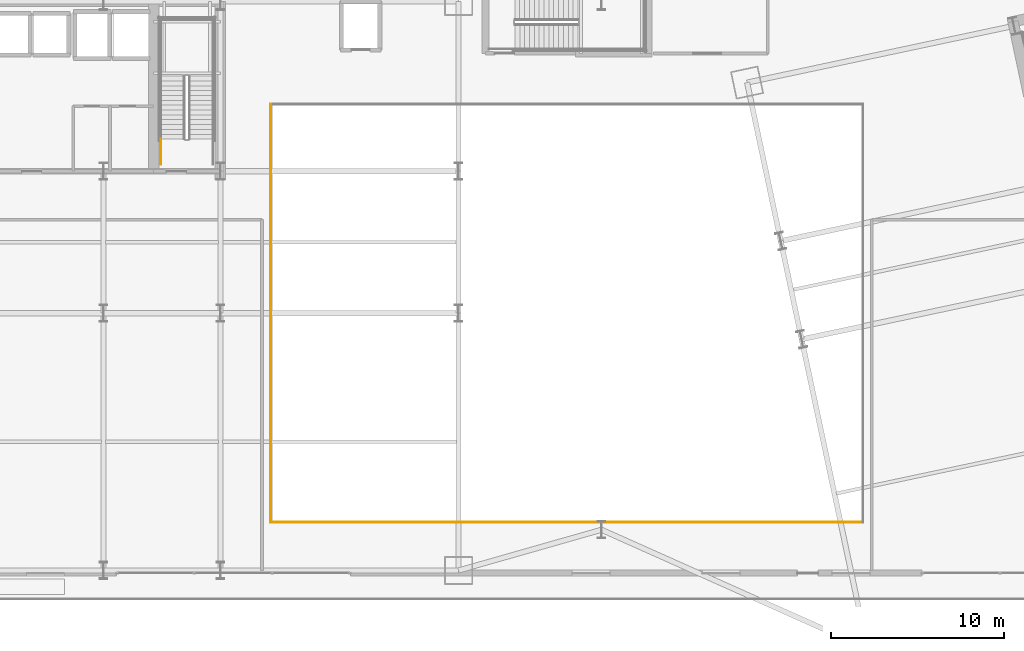
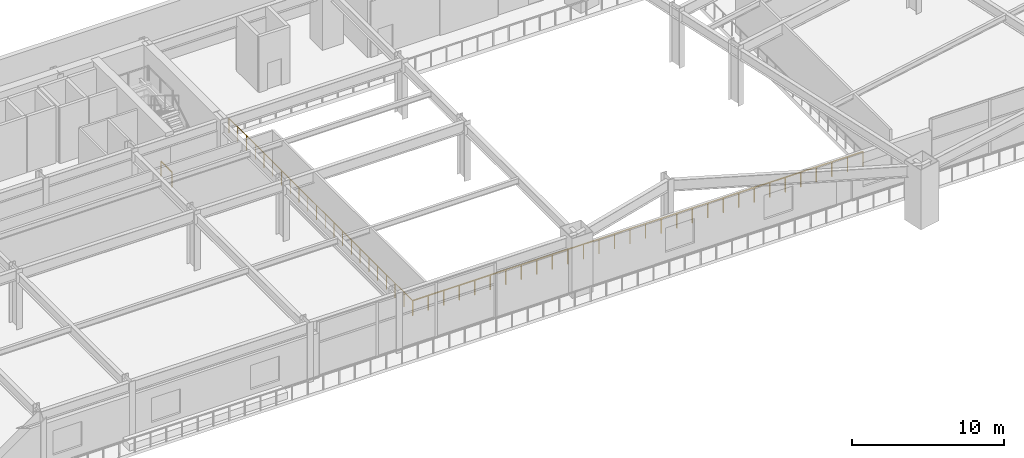
# One storey, part 19 of 28: 3 railings.
"""IFC4 building model written with IfcOpenShell, lengths in metres."""

from ifc_helpers import new_model, si_unit, direction, frame, origin, origin_2d, place, context, subcontext, project, spatial, rectangle, extrude, material, type_object, element, save


model = new_model("IFC4")

# Units and contexts
model_context = context("Model", 3, precision=1e-05, world=origin(), true_north=direction((0.0, 1.0)))
body_context = subcontext(model_context, "Body", "Model", "MODEL_VIEW")
ifc_project = project(units=[si_unit("LENGTHUNIT", "METRE"), si_unit("AREAUNIT", "SQUARE_METRE"), si_unit("VOLUMEUNIT", "CUBIC_METRE"), si_unit("PLANEANGLEUNIT", "RADIAN"), si_unit("MASSUNIT", "GRAM", prefix="KILO")], contexts=[model_context])

# Site, building, storey
site_placement = place(None, origin())
site = spatial("IfcSite", under=ifc_project, at=site_placement, CompositionType="ELEMENT")
building_placement = place(site_placement, origin())
building = spatial("IfcBuilding", under=site, at=building_placement, Name="Haevon Station Towers", CompositionType="ELEMENT")
storey_placement = place(building_placement, frame((0.0, 0.0, 10.800048828125)))
storey = spatial("IfcBuildingStorey", under=building, at=storey_placement, Name="L02", CompositionType="ELEMENT", Elevation=10.800048828125)

# Railings
ifc_material = material(Name="Steel S355", Category="steel")
railing_type_1 = type_object("IfcRailingType", Name="BAL-ATR1200", PredefinedType="BALUSTRADE", material=ifc_material)
railing_1_placement = place(storey_placement, frame((53.90185546875, 17.930908203125, 0.0)))
element("IfcRailing", 1, at=railing_1_placement, inside=storey, type_object=railing_type_1, Name="L02 Atrium Void Balustrade 1", PredefinedType="BALUSTRADE", context=body_context, shape_type="SweptSolid", body=[
    extrude(rectangle(XDim=0.048095703125, YDim=0.048095703125, at=origin_2d()), frame((0.0, 0.0, 1.17578125), z_axis=(1.0, 0.0, 0.0), x_axis=(0.0, 1.0, 0.0)), (0.0, 0.0, 1.0), 34.1962890625),
    extrude(rectangle(XDim=0.0419921875, YDim=0.0419921875, at=origin_2d()), origin(), (0.0, 0.0, 1.0), 1.15185546875),
    extrude(rectangle(XDim=0.0419921875, YDim=0.0419921875, at=origin_2d()), frame((1.17919921875, 0.0, 0.0)), (0.0, 0.0, 1.0), 1.15185546875),
    extrude(rectangle(XDim=0.0419921875, YDim=0.0419921875, at=origin_2d()), frame((2.3583984375, 0.0, 0.0)), (0.0, 0.0, 1.0), 1.15185546875),
    extrude(rectangle(XDim=0.0419921875, YDim=0.0419921875, at=origin_2d()), frame((3.53759765625, 0.0, 0.0)), (0.0, 0.0, 1.0), 1.15185546875),
    extrude(rectangle(XDim=0.0419921875, YDim=0.0419921875, at=origin_2d()), frame((4.716796875, 0.0, 0.0)), (0.0, 0.0, 1.0), 1.15185546875),
    extrude(rectangle(XDim=0.0419921875, YDim=0.0419921875, at=origin_2d()), frame((5.89599609375, 0.0, 0.0)), (0.0, 0.0, 1.0), 1.15185546875),
    extrude(rectangle(XDim=0.0419921875, YDim=0.0419921875, at=origin_2d()), frame((7.0751953125, 0.0, 0.0)), (0.0, 0.0, 1.0), 1.15185546875),
    extrude(rectangle(XDim=0.0419921875, YDim=0.0419921875, at=origin_2d()), frame((8.25439453125, 0.0, 0.0)), (0.0, 0.0, 1.0), 1.15185546875),
    extrude(rectangle(XDim=0.0419921875, YDim=0.0419921875, at=origin_2d()), frame((9.433349609375, 0.0, 0.0)), (0.0, 0.0, 1.0), 1.15185546875),
    extrude(rectangle(XDim=0.0419921875, YDim=0.0419921875, at=origin_2d()), frame((10.612548828125, 0.0, 0.0)), (0.0, 0.0, 1.0), 1.15185546875),
    extrude(rectangle(XDim=0.0419921875, YDim=0.0419921875, at=origin_2d()), frame((11.791748046875, 0.0, 0.0)), (0.0, 0.0, 1.0), 1.15185546875),
    extrude(rectangle(XDim=0.0419921875, YDim=0.0419921875, at=origin_2d()), frame((12.970947265625, 0.0, 0.0)), (0.0, 0.0, 1.0), 1.15185546875),
    extrude(rectangle(XDim=0.0419921875, YDim=0.0419921875, at=origin_2d()), frame((14.150146484375, 0.0, 0.0)), (0.0, 0.0, 1.0), 1.15185546875),
    extrude(rectangle(XDim=0.0419921875, YDim=0.0419921875, at=origin_2d()), frame((15.329345703125, 0.0, 0.0)), (0.0, 0.0, 1.0), 1.15185546875),
    extrude(rectangle(XDim=0.0419921875, YDim=0.0419921875, at=origin_2d()), frame((16.508544921875, 0.0, 0.0)), (0.0, 0.0, 1.0), 1.15185546875),
    extrude(rectangle(XDim=0.0419921875, YDim=0.0419921875, at=origin_2d()), frame((17.687744140625, 0.0, 0.0)), (0.0, 0.0, 1.0), 1.15185546875),
    extrude(rectangle(XDim=0.0419921875, YDim=0.0419921875, at=origin_2d()), frame((18.866943359375, 0.0, 0.0)), (0.0, 0.0, 1.0), 1.15185546875),
    extrude(rectangle(XDim=0.0419921875, YDim=0.0419921875, at=origin_2d()), frame((20.046142578125, 0.0, 0.0)), (0.0, 0.0, 1.0), 1.15185546875),
    extrude(rectangle(XDim=0.0419921875, YDim=0.0419921875, at=origin_2d()), frame((21.225341796875, 0.0, 0.0)), (0.0, 0.0, 1.0), 1.15185546875),
    extrude(rectangle(XDim=0.0419921875, YDim=0.0419921875, at=origin_2d()), frame((22.404541015625, 0.0, 0.0)), (0.0, 0.0, 1.0), 1.15185546875),
    extrude(rectangle(XDim=0.0419921875, YDim=0.0419921875, at=origin_2d()), frame((23.583740234375, 0.0, 0.0)), (0.0, 0.0, 1.0), 1.15185546875),
    extrude(rectangle(XDim=0.0419921875, YDim=0.0419921875, at=origin_2d()), frame((24.762939453125, 0.0, 0.0)), (0.0, 0.0, 1.0), 1.15185546875),
    extrude(rectangle(XDim=0.0419921875, YDim=0.0419921875, at=origin_2d()), frame((25.94189453125, 0.0, 0.0)), (0.0, 0.0, 1.0), 1.15185546875),
    extrude(rectangle(XDim=0.0419921875, YDim=0.0419921875, at=origin_2d()), frame((27.12109375, 0.0, 0.0)), (0.0, 0.0, 1.0), 1.15185546875),
    extrude(rectangle(XDim=0.0419921875, YDim=0.0419921875, at=origin_2d()), frame((28.30029296875, 0.0, 0.0)), (0.0, 0.0, 1.0), 1.15185546875),
    extrude(rectangle(XDim=0.0419921875, YDim=0.0419921875, at=origin_2d()), frame((29.4794921875, 0.0, 0.0)), (0.0, 0.0, 1.0), 1.15185546875),
    extrude(rectangle(XDim=0.0419921875, YDim=0.0419921875, at=origin_2d()), frame((30.65869140625, 0.0, 0.0)), (0.0, 0.0, 1.0), 1.15185546875),
    extrude(rectangle(XDim=0.0419921875, YDim=0.0419921875, at=origin_2d()), frame((31.837890625, 0.0, 0.0)), (0.0, 0.0, 1.0), 1.15185546875),
    extrude(rectangle(XDim=0.0419921875, YDim=0.0419921875, at=origin_2d()), frame((33.01708984375, 0.0, 0.0)), (0.0, 0.0, 1.0), 1.15185546875),
    extrude(rectangle(XDim=0.0419921875, YDim=0.0419921875, at=origin_2d()), frame((34.1962890625, 0.0, 0.0)), (0.0, 0.0, 1.0), 1.15185546875),
])
railing_2_placement = place(storey_placement, frame((53.90185546875, 42.069091796875, 0.0)))
element("IfcRailing", 2, at=railing_2_placement, inside=storey, type_object=railing_type_1, Name="L02 Atrium Void Balustrade 4", PredefinedType="BALUSTRADE", context=body_context, shape_type="SweptSolid", body=[
    extrude(rectangle(XDim=0.048095703125, YDim=0.048095703125, at=origin_2d()), frame((0.0, 0.0, 1.17578125), z_axis=(0.0, -1.0, 0.0), x_axis=(1.0, 0.0, 0.0)), (0.0, 0.0, 1.0), 24.13818359375),
    extrude(rectangle(XDim=0.0419921875, YDim=0.0419921875, at=origin_2d()), origin(), (0.0, 0.0, 1.0), 1.15185546875),
    extrude(rectangle(XDim=0.0419921875, YDim=0.0419921875, at=origin_2d()), frame((0.0, -1.1494140625, 0.0)), (0.0, 0.0, 1.0), 1.15185546875),
    extrude(rectangle(XDim=0.0419921875, YDim=0.0419921875, at=origin_2d()), frame((0.0, -2.298828125, 0.0)), (0.0, 0.0, 1.0), 1.15185546875),
    extrude(rectangle(XDim=0.0419921875, YDim=0.0419921875, at=origin_2d()), frame((0.0, -3.4482421875, 0.0)), (0.0, 0.0, 1.0), 1.15185546875),
    extrude(rectangle(XDim=0.0419921875, YDim=0.0419921875, at=origin_2d()), frame((0.0, -4.59765625, 0.0)), (0.0, 0.0, 1.0), 1.15185546875),
    extrude(rectangle(XDim=0.0419921875, YDim=0.0419921875, at=origin_2d()), frame((0.0, -5.7470703125, 0.0)), (0.0, 0.0, 1.0), 1.15185546875),
    extrude(rectangle(XDim=0.0419921875, YDim=0.0419921875, at=origin_2d()), frame((0.0, -6.896728515625, 0.0)), (0.0, 0.0, 1.0), 1.15185546875),
    extrude(rectangle(XDim=0.0419921875, YDim=0.0419921875, at=origin_2d()), frame((0.0, -8.046142578125, 0.0)), (0.0, 0.0, 1.0), 1.15185546875),
    extrude(rectangle(XDim=0.0419921875, YDim=0.0419921875, at=origin_2d()), frame((0.0, -9.195556640625, 0.0)), (0.0, 0.0, 1.0), 1.15185546875),
    extrude(rectangle(XDim=0.0419921875, YDim=0.0419921875, at=origin_2d()), frame((0.0, -10.344970703125, 0.0)), (0.0, 0.0, 1.0), 1.15185546875),
    extrude(rectangle(XDim=0.0419921875, YDim=0.0419921875, at=origin_2d()), frame((0.0, -11.494384765625, 0.0)), (0.0, 0.0, 1.0), 1.15185546875),
    extrude(rectangle(XDim=0.0419921875, YDim=0.0419921875, at=origin_2d()), frame((0.0, -12.643798828125, 0.0)), (0.0, 0.0, 1.0), 1.15185546875),
    extrude(rectangle(XDim=0.0419921875, YDim=0.0419921875, at=origin_2d()), frame((0.0, -13.793212890625, 0.0)), (0.0, 0.0, 1.0), 1.15185546875),
    extrude(rectangle(XDim=0.0419921875, YDim=0.0419921875, at=origin_2d()), frame((0.0, -14.942626953125, 0.0)), (0.0, 0.0, 1.0), 1.15185546875),
    extrude(rectangle(XDim=0.0419921875, YDim=0.0419921875, at=origin_2d()), frame((0.0, -16.092041015625, 0.0)), (0.0, 0.0, 1.0), 1.15185546875),
    extrude(rectangle(XDim=0.0419921875, YDim=0.0419921875, at=origin_2d()), frame((0.0, -17.241455078125, 0.0)), (0.0, 0.0, 1.0), 1.15185546875),
    extrude(rectangle(XDim=0.0419921875, YDim=0.0419921875, at=origin_2d()), frame((0.0, -18.39111328125, 0.0)), (0.0, 0.0, 1.0), 1.15185546875),
    extrude(rectangle(XDim=0.0419921875, YDim=0.0419921875, at=origin_2d()), frame((0.0, -19.54052734375, 0.0)), (0.0, 0.0, 1.0), 1.15185546875),
    extrude(rectangle(XDim=0.0419921875, YDim=0.0419921875, at=origin_2d()), frame((0.0, -20.68994140625, 0.0)), (0.0, 0.0, 1.0), 1.15185546875),
    extrude(rectangle(XDim=0.0419921875, YDim=0.0419921875, at=origin_2d()), frame((0.0, -21.83935546875, 0.0)), (0.0, 0.0, 1.0), 1.15185546875),
    extrude(rectangle(XDim=0.0419921875, YDim=0.0419921875, at=origin_2d()), frame((0.0, -22.98876953125, 0.0)), (0.0, 0.0, 1.0), 1.15185546875),
    extrude(rectangle(XDim=0.0419921875, YDim=0.0419921875, at=origin_2d()), frame((0.0, -24.13818359375, 0.0)), (0.0, 0.0, 1.0), 1.15185546875),
])
railing_type_2 = type_object("IfcRailingType", Name="GRD-STR1200", PredefinedType="GUARDRAIL", material=ifc_material)
railing_3_placement = place(storey_placement, frame((47.570068359375, 38.60009765625, 0.0)))
element("IfcRailing", 3, at=railing_3_placement, inside=storey, type_object=railing_type_2, Name="L02 ST2 Stair Guard 9", PredefinedType="GUARDRAIL", context=body_context, shape_type="SweptSolid", body=[
    extrude(rectangle(XDim=0.048095703125, YDim=0.048095703125, at=origin_2d()), frame((0.0, 0.0, 1.17578125), z_axis=(0.0, 1.0, 0.0), x_axis=(-1.0, 0.0, 0.0)), (0.0, 0.0, 1.0), 1.449951171875),
    extrude(rectangle(XDim=0.0419921875, YDim=0.0419921875, at=origin_2d()), origin(), (0.0, 0.0, 1.0), 1.15185546875),
    extrude(rectangle(XDim=0.0419921875, YDim=0.0419921875, at=origin_2d()), frame((0.0, 1.449951171875, 0.0)), (0.0, 0.0, 1.0), 1.15185546875),
])

save(model, "model.ifc")
